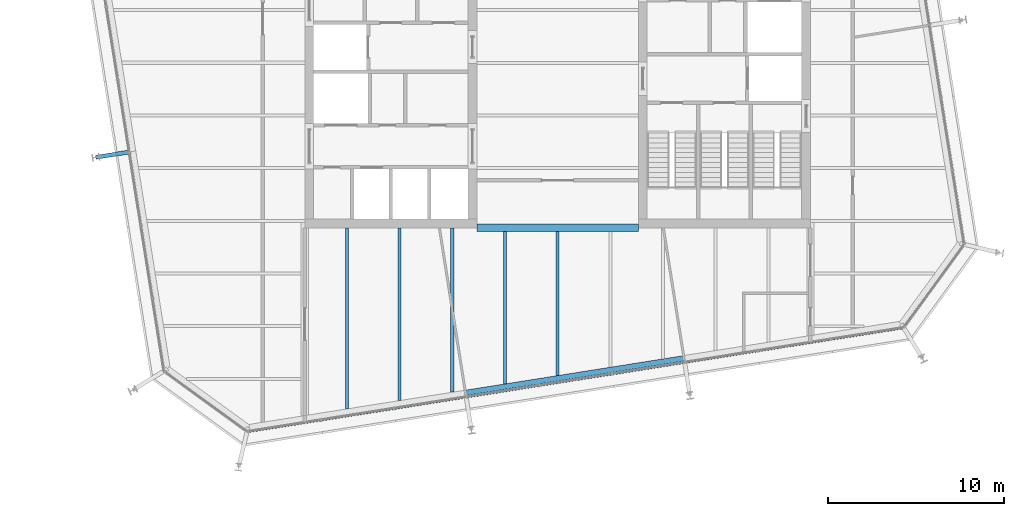
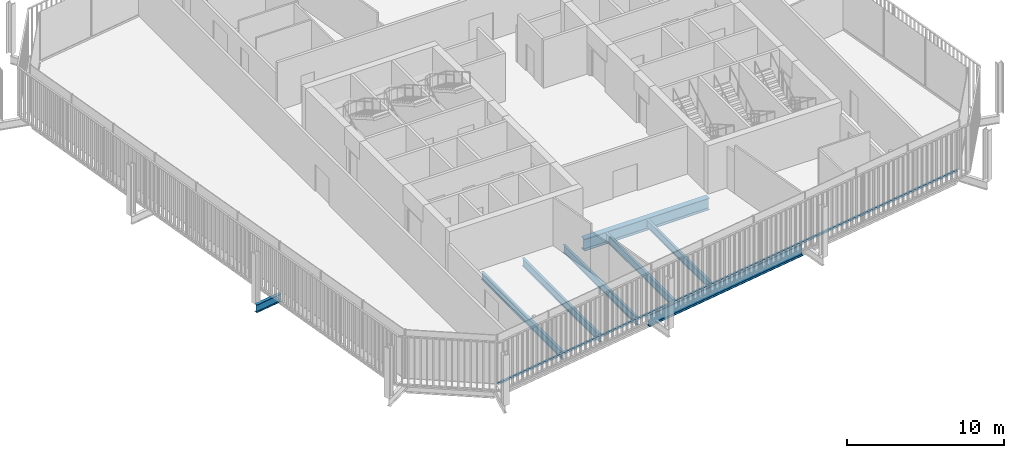
# One storey, part 3 of 20: 8 beams, 1 member, 1 element without a shape of its own.
"""IFC4 building model written with IfcOpenShell, lengths in metres."""

from ifc_helpers import new_model, si_unit, direction, frame, origin, origin_2d, place, context, subcontext, project, spatial, rectangle, i_section, extrude, material, layer, layer_set, material_profile, profile_set, type_object, element, aggregate, save


model = new_model("IFC4")

# Units and contexts
model_context = context("Model", 3, precision=1e-05, world=origin(), true_north=direction((0.0, 1.0)))
body_context = subcontext(model_context, "Body", "Model", "MODEL_VIEW")
ifc_project = project(units=[si_unit("LENGTHUNIT", "METRE"), si_unit("AREAUNIT", "SQUARE_METRE"), si_unit("VOLUMEUNIT", "CUBIC_METRE"), si_unit("PLANEANGLEUNIT", "RADIAN"), si_unit("MASSUNIT", "GRAM", prefix="KILO")], contexts=[model_context])

# Site, building, storey
site_placement = place(None, origin())
site = spatial("IfcSite", under=ifc_project, at=site_placement, CompositionType="ELEMENT")
building_placement = place(site_placement, origin())
building = spatial("IfcBuilding", under=site, at=building_placement, Name="Millrace Tower", CompositionType="ELEMENT")
storey_placement = place(building_placement, frame((0.0, 0.0, 232.0)))
storey = spatial("IfcBuildingStorey", under=building, at=storey_placement, Name="L53", CompositionType="ELEMENT", Elevation=232.0)

# Curtain wall, member
ifc_material_1 = material(Name="Aluminium and glass", Category="aluminium")
ifc_layer = layer(ifc_material_1, 0.14990234375)
ifc_layer_set = layer_set([ifc_layer], Name="Aluminium and glass")
curtain_wall_type = type_object("IfcCurtainWallType", Name="CW-1 office vision curtain wall", PredefinedType="NOTDEFINED", material=ifc_layer_set)
curtain_wall_placement = place(storey_placement, origin())
curtain_wall = element("IfcCurtainWall", 1, at=curtain_wall_placement, inside=storey, type_object=curtain_wall_type, Name="Curtain wall D-F02 L53", PredefinedType="NOTDEFINED")
ifc_material_2 = material(Name="Aluminium", Category="aluminium")
ifc_material_profile_1 = material_profile(ifc_material_2, rectangle(XDim=0.14990234375, YDim=0.139892578125, at=origin_2d()))
ifc_profile_set_1 = profile_set([ifc_material_profile_1], Name="Aluminium")
member_type = type_object("IfcMemberType", Name="CW-1 office vision curtain wall transom", PredefinedType="USERDEFINED", material=ifc_profile_set_1)
member_placement = place(storey_placement, frame((-17.558837890625, -20.98193359375, 0.070068359375), z_axis=(0.987687829698, 0.156437690685, 0.0), x_axis=(-0.156437690685, 0.987687829698, 0.0)))
member = element("IfcMember", 2, at=member_placement, type_object=member_type, Name="CW1 transom D-F02.1", ObjectType="TRANSOM", PredefinedType="USERDEFINED", context=body_context, shape_type="SweptSolid", body=[
    extrude(rectangle(XDim=0.14990234375, YDim=0.139892578125, at=origin_2d()), origin(), (0.0, 0.0, 1.0), 37.60009765625),
])
aggregate(curtain_wall, [member])

# Beams
ifc_material_3 = material(Name="Steel ASTM A992 Grade 50", Category="steel")
ifc_material_profile_2 = material_profile(ifc_material_3, i_section(OverallWidth=0.177978515625, OverallDepth=0.599365234375, WebThickness=0.010009765625, FlangeThickness=0.012939453125, FilletRadius=0.012939453125, at=origin_2d()))
ifc_profile_set_2 = profile_set([ifc_material_profile_2], Name="Steel ASTM A992 Grade 50")
beam_type_1 = type_object("IfcBeamType", Name="Floor beam W24x55", PredefinedType="JOIST", material=ifc_profile_set_2)
beam_1_placement = place(storey_placement, frame((-9.0, -19.2392578125, -0.459716796875), z_axis=(0.0, 1.0, 0.0), x_axis=(-1.0, 0.0, 0.0)))
element("IfcBeam", 3, at=beam_1_placement, inside=storey, type_object=beam_type_1, Name="BM-D-L53-S1-S039", PredefinedType="JOIST", context=body_context, shape_type="SweptSolid", body=[
    extrude(i_section(OverallWidth=0.177978515625, OverallDepth=0.599365234375, WebThickness=0.010009765625, FlangeThickness=0.012939453125, FilletRadius=0.012939453125, at=origin_2d()), origin(), (0.0, 0.0, 1.0), 9.83935546875),
])
beam_2_placement = place(storey_placement, frame((-6.0, -18.763916015625, -0.459716796875), z_axis=(0.0, 1.0, 0.0), x_axis=(-1.0, 0.0, 0.0)))
element("IfcBeam", 4, at=beam_2_placement, inside=storey, type_object=beam_type_1, Name="BM-D-L53-S1-S041", PredefinedType="JOIST", context=body_context, shape_type="SweptSolid", body=[
    extrude(i_section(OverallWidth=0.177978515625, OverallDepth=0.599365234375, WebThickness=0.010009765625, FlangeThickness=0.012939453125, FilletRadius=0.012939453125, at=origin_2d()), origin(), (0.0, 0.0, 1.0), 9.364013671875),
])
beam_3_placement = place(storey_placement, frame((-3.0, -18.288818359375, -0.459716796875), z_axis=(0.0, 1.0, 0.0), x_axis=(-1.0, 0.0, 0.0)))
element("IfcBeam", 5, at=beam_3_placement, inside=storey, type_object=beam_type_1, Name="BM-D-L53-S1-S043", PredefinedType="JOIST", context=body_context, shape_type="SweptSolid", body=[
    extrude(i_section(OverallWidth=0.177978515625, OverallDepth=0.599365234375, WebThickness=0.010009765625, FlangeThickness=0.012939453125, FilletRadius=0.012939453125, at=origin_2d()), origin(), (0.0, 0.0, 1.0), 8.67919921875),
])
beam_4_placement = place(storey_placement, frame((0.0, -17.813720703125, -0.459716796875), z_axis=(0.0, 1.0, 0.0), x_axis=(-1.0, 0.0, 0.0)))
element("IfcBeam", 6, at=beam_4_placement, inside=storey, type_object=beam_type_1, Name="BM-D-L53-S1-S045", PredefinedType="JOIST", context=body_context, shape_type="SweptSolid", body=[
    extrude(i_section(OverallWidth=0.177978515625, OverallDepth=0.599365234375, WebThickness=0.010009765625, FlangeThickness=0.012939453125, FilletRadius=0.012939453125, at=origin_2d()), origin(), (0.0, 0.0, 1.0), 8.2041015625),
])
ifc_material_4 = material(Name="Steel ASTM A992 Grade 50", Category="steel")
ifc_material_profile_3 = material_profile(ifc_material_4, i_section(OverallWidth=0.1787109375, OverallDepth=0.60205078125, WebThickness=0.010986328125, FlangeThickness=0.014892578125, FilletRadius=0.0126953125, at=origin_2d()))
ifc_profile_set_3 = profile_set([ifc_material_profile_3], Name="Steel ASTM A992 Grade 50")
beam_type_2 = type_object("IfcBeamType", Name="Floor beam W24x62", PredefinedType="JOIST", material=ifc_profile_set_3)
beam_5_placement = place(storey_placement, frame((-12.0, -19.71435546875, -0.4609375), z_axis=(0.0, 1.0, 0.0), x_axis=(-1.0, 0.0, 0.0)))
element("IfcBeam", 7, at=beam_5_placement, inside=storey, type_object=beam_type_2, Name="BM-D-L53-S1-S037", PredefinedType="JOIST", context=body_context, shape_type="SweptSolid", body=[
    extrude(i_section(OverallWidth=0.1787109375, OverallDepth=0.60205078125, WebThickness=0.010986328125, FlangeThickness=0.014892578125, FilletRadius=0.0126953125, at=origin_2d()), origin(), (0.0, 0.0, 1.0), 10.314453125),
])
ifc_material_5 = material(Name="Steel ASTM A992 Grade 50", Category="steel")
ifc_material_profile_4 = material_profile(ifc_material_5, i_section(OverallWidth=0.419189453125, OverallDepth=0.927001953125, WebThickness=0.019287109375, FlangeThickness=0.031982421875, FilletRadius=0.024169921875, at=origin_2d()))
ifc_profile_set_4 = profile_set([ifc_material_profile_4], Name="Steel ASTM A992 Grade 50")
beam_type_3 = type_object("IfcBeamType", Name="Girder short span W36x231", PredefinedType="BEAM", material=ifc_profile_set_4)
beam_6_placement = place(storey_placement, frame((-4.60009765625, -9.39990234375, -0.62353515625), z_axis=(1.0, 0.0, 0.0), x_axis=(0.0, 1.0, 0.0)))
element("IfcBeam", 8, at=beam_6_placement, inside=storey, type_object=beam_type_3, Name="BM-D-L53-S1-G059", PredefinedType="BEAM", context=body_context, shape_type="SweptSolid", body=[
    extrude(i_section(OverallWidth=0.419189453125, OverallDepth=0.927001953125, WebThickness=0.019287109375, FlangeThickness=0.031982421875, FilletRadius=0.024169921875, at=origin_2d()), origin(), (0.0, 0.0, 1.0), 9.2001953125),
])
ifc_material_6 = material(Name="Steel ASTM A992 Grade 50", Category="steel")
ifc_material_profile_5 = material_profile(ifc_material_6, i_section(OverallWidth=0.23046875, OverallDepth=0.6171875, WebThickness=0.01318359375, FlangeThickness=0.022216796875, FilletRadius=0.012939453125, at=origin_2d()))
ifc_profile_set_5 = profile_set([ifc_material_profile_5], Name="Steel ASTM A992 Grade 50")
beam_type_4 = type_object("IfcBeamType", Name="Link beam W24x94", PredefinedType="BEAM", material=ifc_profile_set_5)
beam_7_placement = place(storey_placement, frame((-24.331298828125, -5.0703125, -0.468505859375), z_axis=(-0.987678691416, -0.156495375404, 0.0), x_axis=(0.156495375404, -0.987678691416, 0.0)))
element("IfcBeam", 9, at=beam_7_placement, inside=storey, type_object=beam_type_4, Name="LNK-D-L53-S1-02", PredefinedType="BEAM", context=body_context, shape_type="SweptSolid", body=[
    extrude(i_section(OverallWidth=0.23046875, OverallDepth=0.6171875, WebThickness=0.01318359375, FlangeThickness=0.022216796875, FilletRadius=0.012939453125, at=origin_2d()), origin(), (0.0, 0.0, 1.0), 2.0),
])
ifc_material_7 = material(Name="Steel ASTM A992 Grade 50", Category="steel")
ifc_material_profile_6 = material_profile(ifc_material_7, i_section(OverallWidth=0.307373046875, OverallDepth=0.927001953125, WebThickness=0.01953125, FlangeThickness=0.031982421875, FilletRadius=0.01904296875, at=origin_2d()))
ifc_profile_set_6 = profile_set([ifc_material_profile_6], Name="Steel ASTM A992 Grade 50")
beam_type_5 = type_object("IfcBeamType", Name="Ring beam medium span W36x194", PredefinedType="SPANDREL", material=ifc_profile_set_6)
beam_8_placement = place(storey_placement, frame((7.1962890625, -16.82958984375, -0.62353515625), z_axis=(-0.987689802912, -0.156425232058, 0.0), x_axis=(0.156425232058, -0.987689802912, 0.0)))
element("IfcBeam", 10, at=beam_8_placement, inside=storey, type_object=beam_type_5, Name="RNG-D-L53-S1-14", PredefinedType="SPANDREL", context=body_context, shape_type="SweptSolid", body=[
    extrude(i_section(OverallWidth=0.307373046875, OverallDepth=0.927001953125, WebThickness=0.01953125, FlangeThickness=0.031982421875, FilletRadius=0.01904296875, at=origin_2d()), origin(), (0.0, 0.0, 1.0), 12.599853515625),
])

save(model, "model.ifc")
